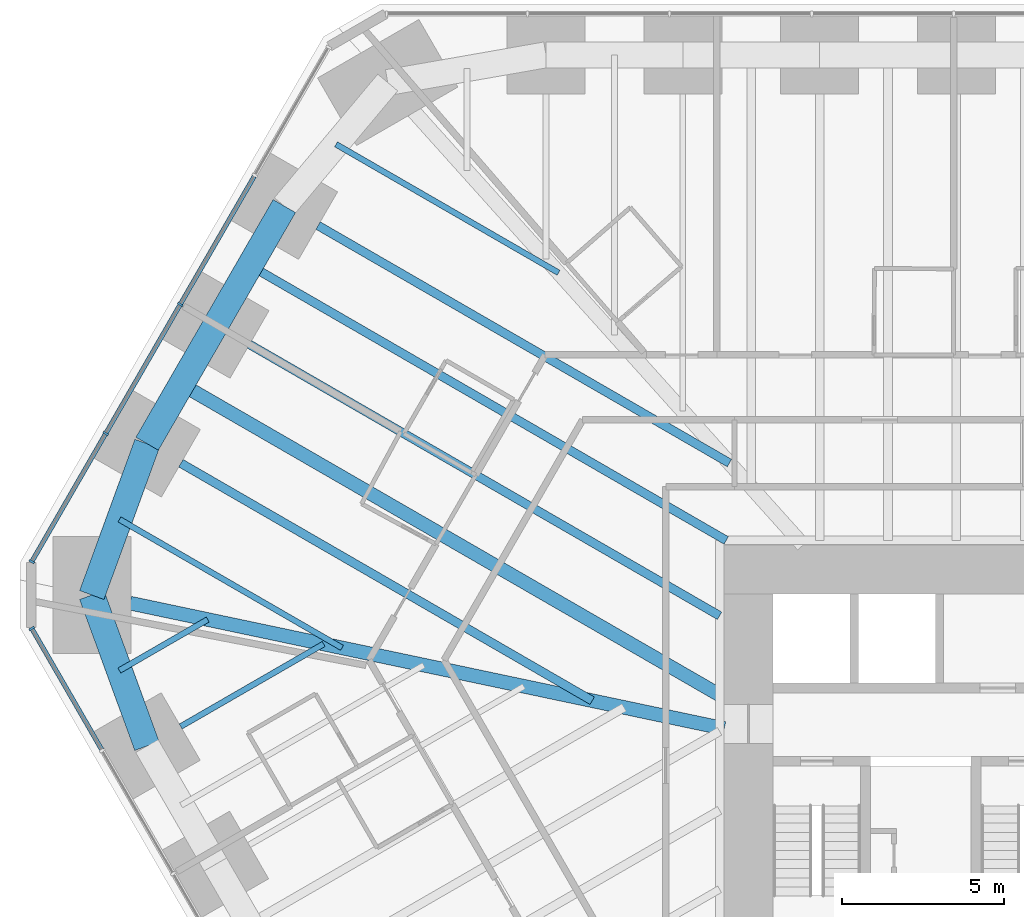
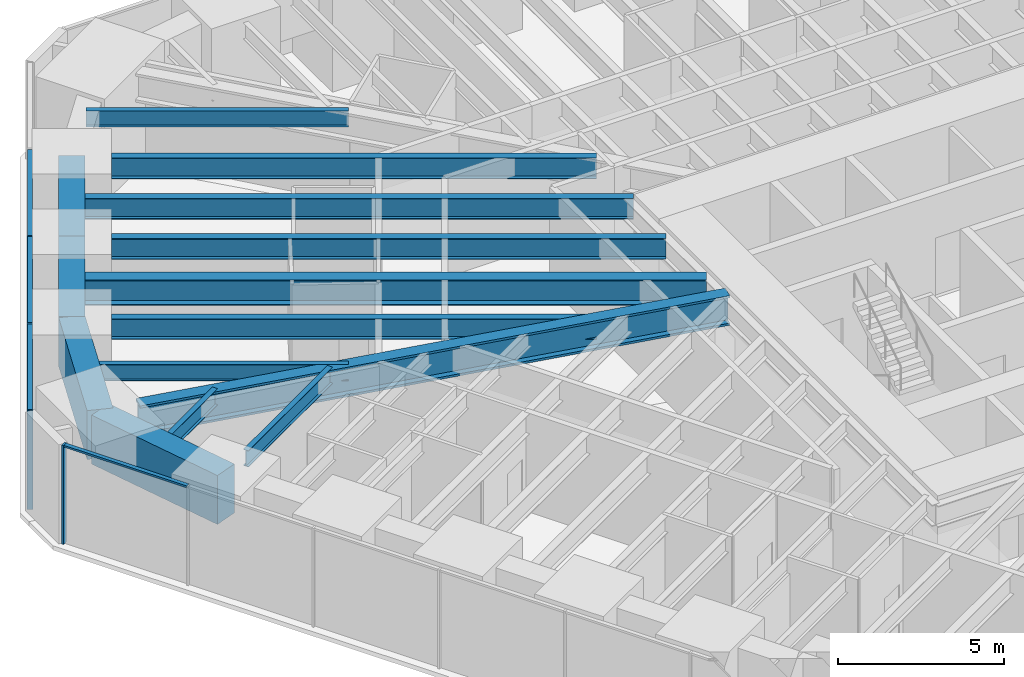
# One storey, part 7 of 17: 14 beams, 8 members, 2 elements without a shape of their own.
"""IFC4 building model written with IfcOpenShell, lengths in metres."""

from ifc_helpers import new_model, si_unit, direction, frame, origin, origin_2d, place, context, subcontext, project, spatial, rectangle, i_section, extrude, material, material_profile, profile_set, type_object, element, aggregate, save


model = new_model("IFC4")

# Units and contexts
model_context = context("Model", 3, precision=1e-05, world=origin(), true_north=direction((0.0, 1.0)))
body_context = subcontext(model_context, "Body", "Model", "MODEL_VIEW")
ifc_project = project(units=[si_unit("LENGTHUNIT", "METRE"), si_unit("AREAUNIT", "SQUARE_METRE"), si_unit("VOLUMEUNIT", "CUBIC_METRE"), si_unit("PLANEANGLEUNIT", "RADIAN"), si_unit("MASSUNIT", "GRAM", prefix="KILO")], contexts=[model_context])

# Site, building, storey
site_placement = place(None, origin())
site = spatial("IfcSite", under=ifc_project, at=site_placement, CompositionType="ELEMENT")
building_placement = place(site_placement, origin())
building = spatial("IfcBuilding", under=site, at=building_placement, Name="Sandreach Pilgrim Tower", CompositionType="ELEMENT")
storey_placement = place(building_placement, frame((0.0, 0.0, 30.60009765625)))
storey = spatial("IfcBuildingStorey", under=building, at=storey_placement, Name="L06", CompositionType="ELEMENT", Elevation=30.60009765625)

# Curtain wall, member
ifc_material_1 = material(Name="Aluminium framed curtain wall", Category="aluminium")
curtain_wall_type = type_object("IfcCurtainWallType", Name="Hostel tower curtain wall", PredefinedType="NOTDEFINED", material=ifc_material_1)
curtain_wall_1_placement = place(storey_placement, origin())
curtain_wall_1 = element("IfcCurtainWall", 1, at=curtain_wall_1_placement, inside=storey, type_object=curtain_wall_type, Name="CW-1 L06 SW", PredefinedType="NOTDEFINED")
ifc_material_2 = material(Name="Aluminium extrusion", Category="aluminium")
ifc_material_profile_1 = material_profile(ifc_material_2, rectangle(XDim=0.06494140625, YDim=0.179931640625, at=origin_2d()), Name="CW-1M 65X180")
ifc_profile_set_1 = profile_set([ifc_material_profile_1], Name="Aluminium extrusion")
member_type_1 = type_object("IfcMemberType", Name="CW-1 mullion", PredefinedType="MULLION", material=ifc_profile_set_1)
member_1_placement = place(storey_placement, frame((-30.56005859375, 5.033935546875, 0.0), z_axis=(0.0, 0.0, 1.0), x_axis=(-0.5, 0.866025403784, 0.0)))
member_1 = element("IfcMember", 2, at=member_1_placement, type_object=member_type_1, Name="CW-1 mullion 10", PredefinedType="MULLION", context=body_context, shape_type="SweptSolid", body=[
    extrude(rectangle(XDim=0.06494140625, YDim=0.179931640625, at=origin_2d()), origin(), (0.0, 0.0, 1.0), 3.639892578125),
])

# Curtain wall, members
curtain_wall_2_placement = place(storey_placement, origin())
curtain_wall_2 = element("IfcCurtainWall", 3, at=curtain_wall_2_placement, inside=storey, type_object=curtain_wall_type, Name="CW-1 L06 NW", PredefinedType="NOTDEFINED")
member_2_placement = place(storey_placement, frame((-30.56005859375, 7.09033203125, 0.0), z_axis=(0.0, 0.0, 1.0), x_axis=(0.5, 0.866025403784, 0.0)))
member_2 = element("IfcMember", 4, at=member_2_placement, type_object=member_type_1, Name="CW-1 mullion 1", PredefinedType="MULLION", context=body_context, shape_type="SweptSolid", body=[
    extrude(rectangle(XDim=0.06494140625, YDim=0.179931640625, at=origin_2d()), origin(), (0.0, 0.0, 1.0), 3.639892578125),
])
member_3_placement = place(storey_placement, frame((-28.283203125, 11.03369140625, 0.0), z_axis=(0.0, 0.0, 1.0), x_axis=(0.5, 0.866025403784, 0.0)))
member_3 = element("IfcMember", 5, at=member_3_placement, type_object=member_type_1, Name="CW-1 mullion 2", PredefinedType="MULLION", context=body_context, shape_type="SweptSolid", body=[
    extrude(rectangle(XDim=0.06494140625, YDim=0.179931640625, at=origin_2d()), origin(), (0.0, 0.0, 1.0), 3.639892578125),
])
member_4_placement = place(storey_placement, frame((-25.990234375, 15.00537109375, 0.0), z_axis=(0.0, 0.0, 1.0), x_axis=(0.5, 0.866025403784, 0.0)))
member_4 = element("IfcMember", 6, at=member_4_placement, type_object=member_type_1, Name="CW-1 mullion 3", PredefinedType="MULLION", context=body_context, shape_type="SweptSolid", body=[
    extrude(rectangle(XDim=0.06494140625, YDim=0.179931640625, at=origin_2d()), origin(), (0.0, 0.0, 1.0), 3.639892578125),
])

# Member
ifc_material_3 = material(Name="Aluminium extrusion", Category="aluminium")
ifc_material_profile_2 = material_profile(ifc_material_3, rectangle(XDim=0.139892578125, YDim=0.070068359375, at=origin_2d()), Name="CW-1T 140X70")
ifc_profile_set_2 = profile_set([ifc_material_profile_2], Name="Aluminium extrusion")
member_type_2 = type_object("IfcMemberType", Name="CW-1 transom", PredefinedType="USERDEFINED", material=ifc_profile_set_2)
member_5_placement = place(storey_placement, frame((-28.40673828125, 1.304443359375, 3.60498046875), z_axis=(-0.499991113271, 0.866030534479, 0.0), x_axis=(-0.866030534479, -0.499991113271, 0.0)))
member_5 = element("IfcMember", 7, at=member_5_placement, type_object=member_type_2, Name="CW-1 head transom 9", ObjectType="TRANSOM", PredefinedType="USERDEFINED", context=body_context, shape_type="SweptSolid", body=[
    extrude(rectangle(XDim=0.139892578125, YDim=0.070068359375, at=origin_2d()), origin(), (0.0, 0.0, 1.0), 4.27392578125),
])

aggregate(curtain_wall_1, [member_1, member_5])

member_6_placement = place(storey_placement, frame((-30.543701171875, 7.118408203125, 3.60498046875), z_axis=(0.499976706761, 0.866038851724, 0.0), x_axis=(-0.866038851724, 0.499976706761, 0.0)))
member_6 = element("IfcMember", 8, at=member_6_placement, type_object=member_type_2, Name="CW-1 head transom 1", ObjectType="TRANSOM", PredefinedType="USERDEFINED", context=body_context, shape_type="SweptSolid", body=[
    extrude(rectangle(XDim=0.139892578125, YDim=0.070068359375, at=origin_2d()), origin(), (0.0, 0.0, 1.0), 4.488525390625),
])

member_7_placement = place(storey_placement, frame((-28.266845703125, 11.06201171875, 3.60498046875), z_axis=(0.500001366228, 0.866024614991, 0.0), x_axis=(-0.866024614991, 0.500001366228, 0.0)))
member_7 = element("IfcMember", 9, at=member_7_placement, type_object=member_type_2, Name="CW-1 head transom 2", ObjectType="TRANSOM", PredefinedType="USERDEFINED", context=body_context, shape_type="SweptSolid", body=[
    extrude(rectangle(XDim=0.139892578125, YDim=0.070068359375, at=origin_2d()), origin(), (0.0, 0.0, 1.0), 4.52099609375),
])

member_8_placement = place(storey_placement, frame((-25.973876953125, 15.03369140625, 3.60498046875), z_axis=(0.500001366228, 0.866024614991, 0.0), x_axis=(-0.866024614991, 0.500001366228, 0.0)))
member_8 = element("IfcMember", 10, at=member_8_placement, type_object=member_type_2, Name="CW-1 head transom 3", ObjectType="TRANSOM", PredefinedType="USERDEFINED", context=body_context, shape_type="SweptSolid", body=[
    extrude(rectangle(XDim=0.139892578125, YDim=0.070068359375, at=origin_2d()), origin(), (0.0, 0.0, 1.0), 4.52099609375),
])

aggregate(curtain_wall_2, [member_2, member_3, member_4, member_6, member_7, member_8])

# Beams
ifc_material_4 = material(Name="Steel ASTM A992 Grade 50", Category="steel")
ifc_material_profile_3 = material_profile(ifc_material_4, i_section(OverallWidth=0.424072265625, OverallDepth=1.09228515625, WebThickness=0.04541015625, FlangeThickness=0.08203125, at=origin_2d()), Name="W40X593")
ifc_profile_set_3 = profile_set([ifc_material_profile_3], Name="Steel ASTM A992 Grade 50")
beam_type_1 = type_object("IfcBeamType", Name="Corner girder W40X593", PredefinedType="BEAM", material=ifc_profile_set_3)
beam_1_placement = place(storey_placement, frame((-27.53857421875, 5.814208984375, 3.09375), z_axis=(0.978429884383, -0.206579189045, 0.0), x_axis=(0.206579189045, 0.978429884383, 0.0)))
element("IfcBeam", 11, at=beam_1_placement, inside=storey, type_object=beam_type_1, Name="BM L06 CG35", PredefinedType="BEAM", context=body_context, shape_type="SweptSolid", body=[
    extrude(i_section(OverallWidth=0.424072265625, OverallDepth=1.09228515625, WebThickness=0.04541015625, FlangeThickness=0.08203125, at=origin_2d()), origin(), (0.0, 0.0, 1.0), 18.691650390625),
])
ifc_material_5 = material(Name="Steel ASTM A992 Grade 50", Category="steel")
ifc_material_profile_4 = material_profile(ifc_material_5, i_section(OverallWidth=0.1787109375, OverallDepth=0.60205078125, WebThickness=0.010986328125, FlangeThickness=0.014892578125, at=origin_2d()), Name="W24X62")
ifc_profile_set_4 = profile_set([ifc_material_profile_4], Name="Steel ASTM A992 Grade 50")
beam_type_2 = type_object("IfcBeamType", Name="Floor beam W24X62", PredefinedType="BEAM", material=ifc_profile_set_4)
beam_2_placement = place(storey_placement, frame((-25.97705078125, 2.016357421875, 3.3388671875), z_axis=(0.866027897259, 0.49999568115, 0.0), x_axis=(-0.49999568115, 0.866027897259, 0.0)))
element("IfcBeam", 12, at=beam_2_placement, inside=storey, type_object=beam_type_2, Name="BM L06 F34", PredefinedType="BEAM", context=body_context, shape_type="SweptSolid", body=[
    extrude(i_section(OverallWidth=0.1787109375, OverallDepth=0.60205078125, WebThickness=0.010986328125, FlangeThickness=0.014892578125, at=origin_2d()), origin(), (0.0, 0.0, 1.0), 5.0791015625),
])
beam_3_placement = place(storey_placement, frame((-27.864501953125, 3.7392578125, 3.3388671875), z_axis=(0.866023718453, 0.500002919068, 0.0), x_axis=(-0.500002919068, 0.866023718453, 0.0)))
element("IfcBeam", 13, at=beam_3_placement, inside=storey, type_object=beam_type_2, Name="BM L06 FM34", PredefinedType="BEAM", context=body_context, shape_type="SweptSolid", body=[
    extrude(i_section(OverallWidth=0.1787109375, OverallDepth=0.60205078125, WebThickness=0.010986328125, FlangeThickness=0.014892578125, at=origin_2d()), origin(), (0.0, 0.0, 1.0), 3.1396484375),
])
for number, where, z_axis, x_axis, name in (
    (14, (-27.861328125, 8.390380859375, 3.3388671875), (0.866028778003, -0.499994155636, 0.0), (0.499994155636, 0.866028778003, 0.0), "BM L06 FM35"),
    (15, (-21.197021484375, 19.933349609375, 3.3388671875), (0.866028778003, -0.499994155636, 0.0), (0.499994155636, 0.866028778003, 0.0), "BM L06 FM38"),
):
    element("IfcBeam", number, at=place(storey_placement, frame(where, z_axis=z_axis, x_axis=x_axis)), inside=storey, type_object=beam_type_2, Name=name, PredefinedType="BEAM", context=body_context, shape_type="SweptSolid", body=[
        extrude(i_section(OverallWidth=0.1787109375, OverallDepth=0.60205078125, WebThickness=0.010986328125, FlangeThickness=0.014892578125, at=origin_2d()), origin(), (0.0, 0.0, 1.0), 7.90771484375),
    ])
ifc_material_6 = material(Name="Steel ASTM A992 Grade 50", Category="steel")
ifc_material_profile_5 = material_profile(ifc_material_6, i_section(OverallWidth=0.2666015625, OverallDepth=0.761962890625, WebThickness=0.014404296875, FlangeThickness=0.021484375, at=origin_2d()), Name="W30X116")
ifc_profile_set_5 = profile_set([ifc_material_profile_5], Name="Steel ASTM A992 Grade 50")
beam_type_3 = type_object("IfcBeamType", Name="Floor beam W30X116", PredefinedType="BEAM", material=ifc_profile_set_5)
for number, where, z_axis, x_axis, name in (
    (16, (-25.970947265625, 10.118896484375, 3.2587890625), (0.866020355572, -0.500008743658, 0.0), (0.500008743658, 0.866020355572, 0.0), "BM L06 F36"),
    (17, (-21.74853515625, 17.43212890625, 3.2587890625), (0.866020355572, -0.500008743658, 0.0), (0.500008743658, 0.866020355572, 0.0), "BM L06 F38"),
):
    element("IfcBeam", number, at=place(storey_placement, frame(where, z_axis=z_axis, x_axis=x_axis)), inside=storey, type_object=beam_type_3, Name=name, PredefinedType="BEAM", context=body_context, shape_type="SweptSolid", body=[
        extrude(i_section(OverallWidth=0.2666015625, OverallDepth=0.761962890625, WebThickness=0.014404296875, FlangeThickness=0.021484375, at=origin_2d()), origin(), (0.0, 0.0, 1.0), 14.615966796875),
    ])
ifc_material_7 = material(Name="Steel ASTM A992 Grade 50", Category="steel")
ifc_material_profile_6 = material_profile(ifc_material_7, i_section(OverallWidth=0.2666015625, OverallDepth=0.77978515625, WebThickness=0.0166015625, FlangeThickness=0.030029296875, at=origin_2d()), Name="W30X148")
ifc_profile_set_6 = profile_set([ifc_material_profile_6], Name="Steel ASTM A992 Grade 50")
beam_type_4 = type_object("IfcBeamType", Name="Floor beam W30X148", PredefinedType="BEAM", material=ifc_profile_set_6)
beam_4_placement = place(storey_placement, frame((-23.85986328125, 13.775390625, 3.25), z_axis=(0.866031037473, -0.499990242038, 0.0), x_axis=(0.499990242038, 0.866031037473, 0.0)))
element("IfcBeam", 18, at=beam_4_placement, inside=storey, type_object=beam_type_4, Name="BM L06 F37", PredefinedType="BEAM", context=body_context, shape_type="SweptSolid", body=[
    extrude(i_section(OverallWidth=0.2666015625, OverallDepth=0.77978515625, WebThickness=0.0166015625, FlangeThickness=0.030029296875, at=origin_2d()), origin(), (0.0, 0.0, 1.0), 16.704345703125),
])
beam_5_placement = place(storey_placement, frame((-23.843505859375, 16.203857421875, 3.25), z_axis=(0.866027248123, -0.499996805499, 0.0), x_axis=(0.499996805499, 0.866027248123, 0.0)))
element("IfcBeam", 19, at=beam_5_placement, inside=storey, type_object=beam_type_4, Name="BM L06 FM37", PredefinedType="BEAM", context=body_context, shape_type="SweptSolid", body=[
    extrude(i_section(OverallWidth=0.2666015625, OverallDepth=0.77978515625, WebThickness=0.0166015625, FlangeThickness=0.030029296875, at=origin_2d()), origin(), (0.0, 0.0, 1.0), 16.9208984375),
])
ifc_material_8 = material(Name="Steel ASTM A992 Grade 50", Category="steel")
ifc_material_profile_7 = material_profile(ifc_material_8, i_section(OverallWidth=0.419189453125, OverallDepth=0.927001953125, WebThickness=0.019287109375, FlangeThickness=0.031982421875, at=origin_2d()), Name="W36X231")
ifc_profile_set_7 = profile_set([ifc_material_profile_7], Name="Steel ASTM A992 Grade 50")
beam_type_5 = type_object("IfcBeamType", Name="Floor beam W36X231", PredefinedType="BEAM", material=ifc_profile_set_7)
beam_6_placement = place(storey_placement, frame((-25.95458984375, 12.547119140625, 3.17626953125), z_axis=(0.866028474707, -0.499994680968, 0.0), x_axis=(0.499994680968, 0.866028474707, 0.0)))
element("IfcBeam", 20, at=beam_6_placement, inside=storey, type_object=beam_type_5, Name="BM L06 FM36", PredefinedType="BEAM", context=body_context, shape_type="SweptSolid", body=[
    extrude(i_section(OverallWidth=0.419189453125, OverallDepth=0.927001953125, WebThickness=0.019287109375, FlangeThickness=0.031982421875, at=origin_2d()), origin(), (0.0, 0.0, 1.0), 19.123291015625),
])
ifc_material_9 = material(Name="Concrete 10000 psi", Category="concrete")
ifc_material_profile_8 = material_profile(ifc_material_9, rectangle(XDim=0.800048828125, YDim=1.800048828125, at=origin_2d()), Name="RC800X1800")
ifc_profile_set_8 = profile_set([ifc_material_profile_8], Name="Concrete 10000 psi")
beam_type_6 = type_object("IfcBeamType", Name="Spandrel beam RC800X1800", PredefinedType="SPANDREL", material=ifc_profile_set_8)
beam_7_placement = place(storey_placement, frame((-27.016357421875, 1.416259765625, 2.739990234375), z_axis=(-0.342963480301, 0.939348737786, 0.0), x_axis=(-0.939348737786, -0.342963480301, 0.0)))
element("IfcBeam", 21, at=beam_7_placement, inside=storey, type_object=beam_type_6, Name="BM L06 SP34", PredefinedType="SPANDREL", context=body_context, shape_type="SweptSolid", body=[
    extrude(rectangle(XDim=0.800048828125, YDim=1.800048828125, at=origin_2d()), origin(), (0.0, 0.0, 1.0), 4.946044921875),
])
beam_8_placement = place(storey_placement, frame((-28.712646484375, 6.062255859375, 2.739990234375), z_axis=(0.343367552823, 0.939201109278, 0.0), x_axis=(-0.939201109278, 0.343367552823, 0.0)))
element("IfcBeam", 22, at=beam_8_placement, inside=storey, type_object=beam_type_6, Name="BM L06 SP35", PredefinedType="SPANDREL", context=body_context, shape_type="SweptSolid", body=[
    extrude(rectangle(XDim=0.800048828125, YDim=1.800048828125, at=origin_2d()), origin(), (0.0, 0.0, 1.0), 4.9580078125),
])
beam_9_placement = place(storey_placement, frame((-27.01025390625, 10.71875, 2.739990234375), z_axis=(0.500019412692, 0.866014195571, 0.0), x_axis=(-0.866014195571, 0.500019412692, 0.0)))
element("IfcBeam", 23, at=beam_9_placement, inside=storey, type_object=beam_type_6, Name="BM L06 SP36", PredefinedType="SPANDREL", context=body_context, shape_type="SweptSolid", body=[
    extrude(rectangle(XDim=0.800048828125, YDim=1.800048828125, at=origin_2d()), origin(), (0.0, 0.0, 1.0), 4.222412109375),
])
beam_10_placement = place(storey_placement, frame((-24.89892578125, 14.37548828125, 2.739990234375), z_axis=(0.500001084989, 0.866024777365, 0.0), x_axis=(-0.866024777365, 0.500001084989, 0.0)))
element("IfcBeam", 24, at=beam_10_placement, inside=storey, type_object=beam_type_6, Name="BM L06 SP37", PredefinedType="SPANDREL", context=body_context, shape_type="SweptSolid", body=[
    extrude(rectangle(XDim=0.800048828125, YDim=1.800048828125, at=origin_2d()), origin(), (0.0, 0.0, 1.0), 4.22216796875),
])

save(model, "model.ifc")
